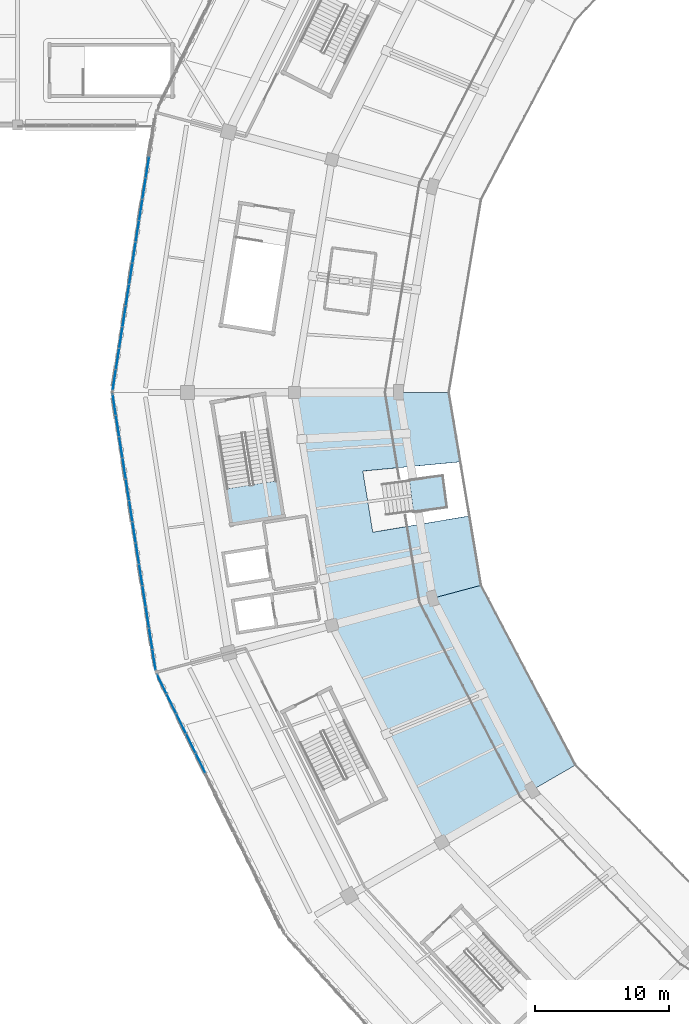
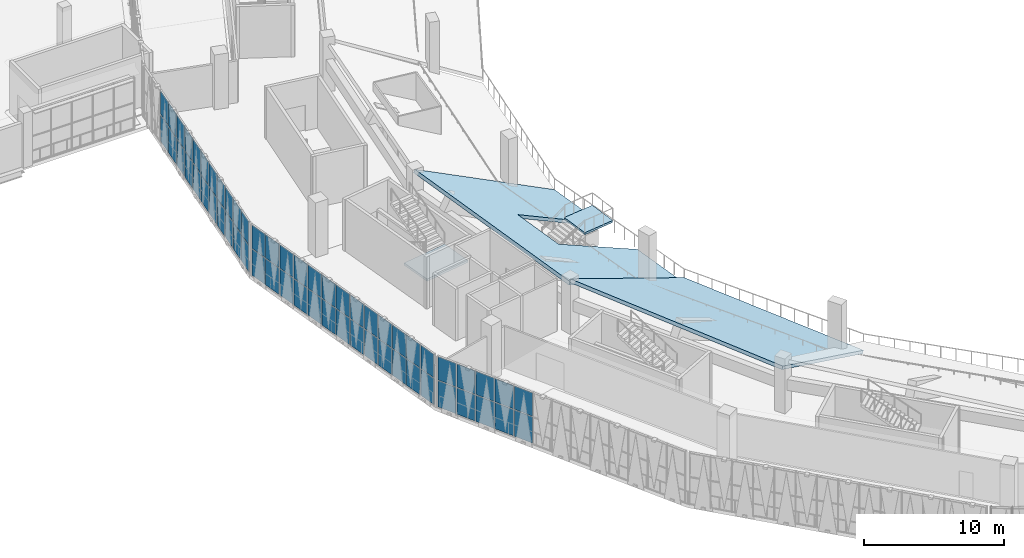
# One storey, part 75 of 152: 58 plates, 4 slabs, 5 elements without a shape of their own.
"""IFC4 building model written with IfcOpenShell, lengths in metres."""

import ifcopenshell
import ifcopenshell.guid

model = None  # the IFC model being written
_history = None  # IfcOwnerHistory: only IFC2X3 demands one
_inside = {}  # id of a spatial element -> (the spatial element, [elements in it])
_under = {}  # id of a project, library or spatial element -> (it, [spatial elements below it])
_declared = {}  # id of a project -> (the project, [libraries it declares])
_typed = {}  # id of a type object -> (the type object, [elements of that type])
_made_of = {}  # id of a material, layer set ... -> (it, [elements and type objects made of it])


def new_model(schema):
    """Start an empty IFC model of exactly this schema.

    Asked for "IFC4X3", IfcOpenShell would pick the latest addendum, in which some entities
    have other attributes; the version numbers below select the first issue.
    IFC2X3 requires an IfcOwnerHistory on every rooted entity: one is made here for all.
    """
    global model, _history
    if schema == "IFC4X3":
        model = ifcopenshell.file(schema_version=(4, 3, 0, 0))
    else:
        model = ifcopenshell.file(schema=schema)
    _inside.clear()
    _under.clear()
    _declared.clear()
    _typed.clear()
    _made_of.clear()
    _history = None
    if model.schema == "IFC2X3":
        org = make("IfcOrganization", Name="unknown")
        user = make(
            "IfcPersonAndOrganization",
            ThePerson=make("IfcPerson", FamilyName="unknown"),
            TheOrganization=org,
        )
        app = make(
            "IfcApplication",
            ApplicationDeveloper=org,
            Version="unknown",
            ApplicationFullName="unknown",
            ApplicationIdentifier="unknown",
        )
        _history = make(
            "IfcOwnerHistory",
            OwningUser=user,
            OwningApplication=app,
            ChangeAction="ADDED",
            CreationDate=0,
        )
    return model


def make(cls, **values):
    """One entity of the class cls with the attributes given. An attribute that is None is left unset."""
    return model.create_entity(
        cls, **{name: value for name, value in values.items() if value is not None}
    )


def rooted(cls, **values):
    """An entity with a GlobalId (a new one), such as an element, a storey or a relation."""
    return make(cls, GlobalId=ifcopenshell.guid.new(), OwnerHistory=_history, **values)


def si_unit(unit_type, name, prefix=None):
    """IfcSIUnit, for example si_unit("LENGTHUNIT", "METRE", prefix="MILLI")."""
    return make("IfcSIUnit", UnitType=unit_type, Prefix=prefix, Name=name)


def assignment(units):
    """IfcUnitAssignment: the units of a project."""
    return None if units is None else make("IfcUnitAssignment", Units=units)


def point(xyz):
    """IfcCartesianPoint."""
    return None if xyz is None else make("IfcCartesianPoint", Coordinates=xyz)


def direction(xyz):
    """IfcDirection."""
    return None if xyz is None else make("IfcDirection", DirectionRatios=xyz)


def frame(location, z_axis=None, x_axis=None):
    """IfcAxis2Placement3D, a coordinate frame: its origin and axes. An axis left out is left unset."""
    return make(
        "IfcAxis2Placement3D",
        Location=point(location),
        Axis=direction(z_axis),
        RefDirection=direction(x_axis),
    )


def frame_2d(location, x_axis=None):
    """IfcAxis2Placement2D, a coordinate frame in the plane: its origin and x axis."""
    return make(
        "IfcAxis2Placement2D", Location=point(location), RefDirection=direction(x_axis)
    )


def origin():
    """The frame at (0, 0, 0) with its axes left unset."""
    return frame((0.0, 0.0, 0.0))


def origin_2d():
    """The frame at (0, 0) in the plane with its x axis left unset."""
    return frame_2d((0.0, 0.0))


def place(relative_to, where):
    """IfcLocalPlacement: puts the frame where relative to a parent placement (None: the world)."""
    return make(
        "IfcLocalPlacement", PlacementRelTo=relative_to, RelativePlacement=where
    )


def context(
    kind, dimensions, precision=None, world=None, true_north=None, identifier=None
):
    """IfcGeometricRepresentationContext, for example the 3D "Model" context."""
    return make(
        "IfcGeometricRepresentationContext",
        ContextIdentifier=identifier,
        ContextType=kind,
        CoordinateSpaceDimension=dimensions,
        Precision=precision,
        WorldCoordinateSystem=world,
        TrueNorth=true_north,
    )


def subcontext(parent, identifier, kind, view, scale=None):
    """IfcGeometricRepresentationSubContext, for example "Body" below "Model"."""
    return make(
        "IfcGeometricRepresentationSubContext",
        ContextIdentifier=identifier,
        ContextType=kind,
        ParentContext=parent,
        TargetScale=scale,
        TargetView=view,
    )


def project(units=None, contexts=None):
    """IfcProject with its units and contexts."""
    return rooted(
        "IfcProject",
        Name="project",
        RepresentationContexts=contexts,
        UnitsInContext=assignment(units),
    )


def spatial(cls, under=None, at=None, **own):
    """A site, building, storey or space (cls), placed at a placement, below another one or the project."""
    s = rooted(cls, ObjectPlacement=at, **own)
    if under is not None:
        _under.setdefault(under.id(), (under, []))[1].append(s)
    return s


def polyline(points):
    """IfcPolyline through the points."""
    return make("IfcPolyline", Points=[point(p) for p in points])


def profile(cls, at=None, kind="AREA", **sizes):
    """A parametric profile (cls). Its sizes go by their IFC names, for example OverallWidth=200.0."""
    return make(cls, ProfileType=kind, Position=at, **sizes)


def rectangle(**sizes):
    """IfcRectangleProfileDef."""
    return profile("IfcRectangleProfileDef", **sizes)


def outline(outer, holes=None, kind="AREA"):
    """IfcArbitraryClosedProfileDef: a profile drawn as a closed curve; with holes, ...WithVoids."""
    if holes is None:
        return make("IfcArbitraryClosedProfileDef", ProfileType=kind, OuterCurve=outer)
    return make(
        "IfcArbitraryProfileDefWithVoids",
        ProfileType=kind,
        OuterCurve=outer,
        InnerCurves=holes,
    )


def extrude(swept, where, along, depth):
    """IfcExtrudedAreaSolid: the profile swept, set in the frame where, extruded along a direction by depth."""
    return make(
        "IfcExtrudedAreaSolid",
        SweptArea=swept,
        Position=where,
        ExtrudedDirection=direction(along),
        Depth=depth,
    )


def shape(context_of_items, identifier, shape_type, items):
    """IfcShapeRepresentation: the items that make up one representation, for example the "Body"."""
    return make(
        "IfcShapeRepresentation",
        ContextOfItems=context_of_items,
        RepresentationIdentifier=identifier,
        RepresentationType=shape_type,
        Items=items,
    )


def material(Name=None, Category=None):
    """IfcMaterial."""
    return make("IfcMaterial", Name=Name, Category=Category)


def layer(
    of_material, thickness, ventilated=None, Name=None, Category=None, Priority=None
):
    """IfcMaterialLayer: one layer of a wall or slab, of a material (None: an air gap)."""
    return make(
        "IfcMaterialLayer",
        Material=of_material,
        LayerThickness=thickness,
        IsVentilated=ventilated,
        Name=Name,
        Category=Category,
        Priority=Priority,
    )


def layer_set(layers, Name=None):
    """IfcMaterialLayerSet."""
    return make("IfcMaterialLayerSet", MaterialLayers=layers, LayerSetName=Name)


def made_of(thing, what):
    """Note that an element or type object is made of a material, layer set ...; save() writes the relation."""
    if what is not None:
        _made_of.setdefault(what.id(), (what, []))[1].append(thing)
    return thing


def type_object(cls, material=None, **own):
    """A type object (cls), such as IfcWallType, which elements share."""
    return made_of(rooted(cls, **own), material)


def element(
    cls,
    number,
    at=None,
    inside=None,
    cuts=None,
    type_object=None,
    material=None,
    context=None,
    identifier="Body",
    shape_type=None,
    held_by="IfcProductDefinitionShape",
    body=None,
    shapes=None,
    **own,
):
    """One element of the class cls, such as IfcWall. Its Tag is "e" and its number.

    at: its placement. inside: the storey or other place that contains it. cuts: it is an
    opening in that element (IfcRelVoidsElement). A single representation is given by context,
    identifier, shape_type and body (its items); several are given by shapes. held_by: the class
    of the entity that holds the representations. save() writes the other relations.
    """
    e = rooted(cls, Tag="e%d" % number, ObjectPlacement=at, **own)
    if body is not None:
        shapes = [shape(context, identifier, shape_type, body)]
    if shapes is not None:
        e.Representation = make(held_by, Representations=shapes)
    if inside is not None:
        _inside.setdefault(inside.id(), (inside, []))[1].append(e)
    if cuts is not None:
        rooted(
            "IfcRelVoidsElement", RelatingBuildingElement=cuts, RelatedOpeningElement=e
        )
    if type_object is not None:
        _typed.setdefault(type_object.id(), (type_object, []))[1].append(e)
    return made_of(e, material)


def aggregate(whole, parts):
    """IfcRelAggregates: a whole, such as a stair, and the parts it consists of."""
    return rooted("IfcRelAggregates", RelatingObject=whole, RelatedObjects=parts)


def save(model, path):
    """Write the relations noted so far, then the file.

    IfcRelAggregates (storeys below a building ...), IfcRelContainedInSpatialStructure (elements
    in a storey), IfcRelDefinesByType, IfcRelAssociatesMaterial and IfcRelDeclares: one each for
    every whole, place, type object, material and project.
    """
    for whole, parts in _under.values():
        aggregate(whole, parts)
    for where, things in _inside.values():
        rooted(
            "IfcRelContainedInSpatialStructure",
            RelatedElements=things,
            RelatingStructure=where,
        )
    for kind, things in _typed.values():
        rooted("IfcRelDefinesByType", RelatedObjects=things, RelatingType=kind)
    for what, things in _made_of.values():
        rooted("IfcRelAssociatesMaterial", RelatedObjects=things, RelatingMaterial=what)
    for by, libraries in _declared.values():
        rooted("IfcRelDeclares", RelatingContext=by, RelatedDefinitions=libraries)
    model.write(path)


model = new_model("IFC4")

# Units and contexts
model_context = context("Model", 3, precision=1e-05, world=origin(), true_north=direction((0.0, 1.0)))
body_context = subcontext(model_context, "Body", "Model", "MODEL_VIEW")
ifc_project = project(units=[si_unit("LENGTHUNIT", "METRE"), si_unit("AREAUNIT", "SQUARE_METRE"), si_unit("VOLUMEUNIT", "CUBIC_METRE"), si_unit("PLANEANGLEUNIT", "RADIAN"), si_unit("MASSUNIT", "GRAM", prefix="KILO")], contexts=[model_context])

# Site, building, storey
site_placement = place(None, origin())
site = spatial("IfcSite", under=ifc_project, at=site_placement, CompositionType="ELEMENT")
building_placement = place(site_placement, origin())
building = spatial("IfcBuilding", under=site, at=building_placement, Name="Zevraka Park Crest Stadium", CompositionType="ELEMENT")
storey_placement = place(building_placement, frame((0.0, 0.0, 15.0)))
storey = spatial("IfcBuildingStorey", under=building, at=storey_placement, Name="L03", CompositionType="ELEMENT", Elevation=15.0)

# Curtain wall, plates
ifc_material_1 = material(Name="Anodised architectural aluminium and laminated safety glass", Category="aluminium")
curtain_wall_type_1 = type_object("IfcCurtainWallType", Name="CW11", PredefinedType="NOTDEFINED", material=ifc_material_1)
curtain_wall_1_placement = place(storey_placement, origin())
curtain_wall_1 = element("IfcCurtainWall", 1, at=curtain_wall_1_placement, inside=storey, type_object=curtain_wall_type_1, Name="Unitised Ring Curtain Wall CW11 L03-11", PredefinedType="NOTDEFINED")
ifc_material_2 = material(Name="Solar-control laminated double glazing", Category="glass")
ifc_layer_1 = layer(ifc_material_2, 0.028076171875)
ifc_layer_set_1 = layer_set([ifc_layer_1], Name="Solar-control laminated double glazing")
plate_type_1 = type_object("IfcPlateType", Name="CP11", PredefinedType="CURTAIN_PANEL", material=ifc_layer_set_1)
plate_1_placement = place(storey_placement, frame((18.70751953125, 108.834716796875, 0.06494140625), z_axis=(0.0, 0.0, 1.0), x_axis=(-0.154127730222, -0.988050931267, 0.0)))
plate_1 = element("IfcPlate", 2, at=plate_1_placement, type_object=plate_type_1, Name="CW11 panel 3.1", PredefinedType="CURTAIN_PANEL", context=body_context, shape_type="SweptSolid", body=[
    extrude(rectangle(XDim=1.545654296875, YDim=0.028076171875, at=origin_2d()), origin(), (0.0, 0.0, 1.0), 2.302490234375),
])
plate_2_placement = place(storey_placement, frame((18.70751953125, 108.834716796875, 2.4326171875), z_axis=(0.0, 0.0, 1.0), x_axis=(-0.154127730222, -0.988050931267, 0.0)))
plate_2 = element("IfcPlate", 3, at=plate_2_placement, type_object=plate_type_1, Name="CW11 panel 3.2", PredefinedType="CURTAIN_PANEL", context=body_context, shape_type="SweptSolid", body=[
    extrude(rectangle(XDim=1.545654296875, YDim=0.028076171875, at=origin_2d()), origin(), (0.0, 0.0, 1.0), 2.04248046875),
])
plate_3_placement = place(storey_placement, frame((18.459228515625, 107.243408203125, 0.06494140625), z_axis=(0.0, 0.0, 1.0), x_axis=(-0.154127730222, -0.988050931267, 0.0)))
plate_3 = element("IfcPlate", 4, at=plate_3_placement, type_object=plate_type_1, Name="CW11 panel 4.1", PredefinedType="CURTAIN_PANEL", context=body_context, shape_type="SweptSolid", body=[
    extrude(rectangle(XDim=1.545654296875, YDim=0.028076171875, at=origin_2d()), origin(), (0.0, 0.0, 1.0), 2.302490234375),
])
plate_4_placement = place(storey_placement, frame((18.459228515625, 107.243408203125, 2.4326171875), z_axis=(0.0, 0.0, 1.0), x_axis=(-0.154127730222, -0.988050931267, 0.0)))
plate_4 = element("IfcPlate", 5, at=plate_4_placement, type_object=plate_type_1, Name="CW11 panel 4.2", PredefinedType="CURTAIN_PANEL", context=body_context, shape_type="SweptSolid", body=[
    extrude(rectangle(XDim=1.545654296875, YDim=0.028076171875, at=origin_2d()), origin(), (0.0, 0.0, 1.0), 2.04248046875),
])
plate_5_placement = place(storey_placement, frame((18.2109375, 105.652099609375, 0.06494140625), z_axis=(0.0, 0.0, 1.0), x_axis=(-0.154127730222, -0.988050931267, 0.0)))
plate_5 = element("IfcPlate", 6, at=plate_5_placement, type_object=plate_type_1, Name="CW11 panel 5.1", PredefinedType="CURTAIN_PANEL", context=body_context, shape_type="SweptSolid", body=[
    extrude(rectangle(XDim=1.545654296875, YDim=0.028076171875, at=origin_2d()), origin(), (0.0, 0.0, 1.0), 2.302490234375),
])
plate_6_placement = place(storey_placement, frame((18.2109375, 105.652099609375, 2.4326171875), z_axis=(0.0, 0.0, 1.0), x_axis=(-0.154127730222, -0.988050931267, 0.0)))
plate_6 = element("IfcPlate", 7, at=plate_6_placement, type_object=plate_type_1, Name="CW11 panel 5.2", PredefinedType="CURTAIN_PANEL", context=body_context, shape_type="SweptSolid", body=[
    extrude(rectangle(XDim=1.545654296875, YDim=0.028076171875, at=origin_2d()), origin(), (0.0, 0.0, 1.0), 2.04248046875),
])
plate_7_placement = place(storey_placement, frame((17.962646484375, 104.060791015625, 0.06494140625), z_axis=(0.0, 0.0, 1.0), x_axis=(-0.154127730222, -0.988050931267, 0.0)))
plate_7 = element("IfcPlate", 8, at=plate_7_placement, type_object=plate_type_1, Name="CW11 panel 6.1", PredefinedType="CURTAIN_PANEL", context=body_context, shape_type="SweptSolid", body=[
    extrude(rectangle(XDim=1.545654296875, YDim=0.028076171875, at=origin_2d()), origin(), (0.0, 0.0, 1.0), 2.302490234375),
])
plate_8_placement = place(storey_placement, frame((17.962646484375, 104.060791015625, 2.4326171875), z_axis=(0.0, 0.0, 1.0), x_axis=(-0.154127730222, -0.988050931267, 0.0)))
plate_8 = element("IfcPlate", 9, at=plate_8_placement, type_object=plate_type_1, Name="CW11 panel 6.2", PredefinedType="CURTAIN_PANEL", context=body_context, shape_type="SweptSolid", body=[
    extrude(rectangle(XDim=1.545654296875, YDim=0.028076171875, at=origin_2d()), origin(), (0.0, 0.0, 1.0), 2.04248046875),
])
plate_9_placement = place(storey_placement, frame((17.714599609375, 102.469482421875, 0.06494140625), z_axis=(0.0, 0.0, 1.0), x_axis=(-0.154127730222, -0.988050931267, 0.0)))
plate_9 = element("IfcPlate", 10, at=plate_9_placement, type_object=plate_type_1, Name="CW11 panel 7.1", PredefinedType="CURTAIN_PANEL", context=body_context, shape_type="SweptSolid", body=[
    extrude(rectangle(XDim=1.545654296875, YDim=0.028076171875, at=origin_2d()), origin(), (0.0, 0.0, 1.0), 2.302490234375),
])
plate_10_placement = place(storey_placement, frame((17.714599609375, 102.469482421875, 2.4326171875), z_axis=(0.0, 0.0, 1.0), x_axis=(-0.154127730222, -0.988050931267, 0.0)))
plate_10 = element("IfcPlate", 11, at=plate_10_placement, type_object=plate_type_1, Name="CW11 panel 7.2", PredefinedType="CURTAIN_PANEL", context=body_context, shape_type="SweptSolid", body=[
    extrude(rectangle(XDim=1.545654296875, YDim=0.028076171875, at=origin_2d()), origin(), (0.0, 0.0, 1.0), 2.04248046875),
])
plate_11_placement = place(storey_placement, frame((17.46630859375, 100.878173828125, 0.06494140625), z_axis=(0.0, 0.0, 1.0), x_axis=(-0.154127730222, -0.988050931267, 0.0)))
plate_11 = element("IfcPlate", 12, at=plate_11_placement, type_object=plate_type_1, Name="CW11 panel 8.1", PredefinedType="CURTAIN_PANEL", context=body_context, shape_type="SweptSolid", body=[
    extrude(rectangle(XDim=1.545654296875, YDim=0.028076171875, at=origin_2d()), origin(), (0.0, 0.0, 1.0), 2.302490234375),
])
plate_12_placement = place(storey_placement, frame((17.46630859375, 100.878173828125, 2.4326171875), z_axis=(0.0, 0.0, 1.0), x_axis=(-0.154127730222, -0.988050931267, 0.0)))
plate_12 = element("IfcPlate", 13, at=plate_12_placement, type_object=plate_type_1, Name="CW11 panel 8.2", PredefinedType="CURTAIN_PANEL", context=body_context, shape_type="SweptSolid", body=[
    extrude(rectangle(XDim=1.545654296875, YDim=0.028076171875, at=origin_2d()), origin(), (0.0, 0.0, 1.0), 2.04248046875),
])
plate_13_placement = place(storey_placement, frame((17.218017578125, 99.286865234375, 0.06494140625), z_axis=(0.0, 0.0, 1.0), x_axis=(-0.154127730222, -0.988050931267, 0.0)))
plate_13 = element("IfcPlate", 14, at=plate_13_placement, type_object=plate_type_1, Name="CW11 panel 9.1", PredefinedType="CURTAIN_PANEL", context=body_context, shape_type="SweptSolid", body=[
    extrude(rectangle(XDim=1.545654296875, YDim=0.028076171875, at=origin_2d()), origin(), (0.0, 0.0, 1.0), 2.302490234375),
])
plate_14_placement = place(storey_placement, frame((17.218017578125, 99.286865234375, 2.4326171875), z_axis=(0.0, 0.0, 1.0), x_axis=(-0.154127730222, -0.988050931267, 0.0)))
plate_14 = element("IfcPlate", 15, at=plate_14_placement, type_object=plate_type_1, Name="CW11 panel 9.2", PredefinedType="CURTAIN_PANEL", context=body_context, shape_type="SweptSolid", body=[
    extrude(rectangle(XDim=1.545654296875, YDim=0.028076171875, at=origin_2d()), origin(), (0.0, 0.0, 1.0), 2.04248046875),
])
plate_15_placement = place(storey_placement, frame((16.9697265625, 97.695556640625, 0.06494140625), z_axis=(0.0, 0.0, 1.0), x_axis=(-0.154127730222, -0.988050931267, 0.0)))
plate_15 = element("IfcPlate", 16, at=plate_15_placement, type_object=plate_type_1, Name="CW11 panel 10.1", PredefinedType="CURTAIN_PANEL", context=body_context, shape_type="SweptSolid", body=[
    extrude(rectangle(XDim=1.545654296875, YDim=0.028076171875, at=origin_2d()), origin(), (0.0, 0.0, 1.0), 2.302490234375),
])
plate_16_placement = place(storey_placement, frame((16.9697265625, 97.695556640625, 2.4326171875), z_axis=(0.0, 0.0, 1.0), x_axis=(-0.154127730222, -0.988050931267, 0.0)))
plate_16 = element("IfcPlate", 17, at=plate_16_placement, type_object=plate_type_1, Name="CW11 panel 10.2", PredefinedType="CURTAIN_PANEL", context=body_context, shape_type="SweptSolid", body=[
    extrude(rectangle(XDim=1.545654296875, YDim=0.028076171875, at=origin_2d()), origin(), (0.0, 0.0, 1.0), 2.04248046875),
])
plate_17_placement = place(storey_placement, frame((16.7216796875, 96.104248046875, 0.06494140625), z_axis=(0.0, 0.0, 1.0), x_axis=(-0.154127730222, -0.988050931267, 0.0)))
plate_17 = element("IfcPlate", 18, at=plate_17_placement, type_object=plate_type_1, Name="CW11 panel 11.1", PredefinedType="CURTAIN_PANEL", context=body_context, shape_type="SweptSolid", body=[
    extrude(rectangle(XDim=1.545654296875, YDim=0.028076171875, at=origin_2d()), origin(), (0.0, 0.0, 1.0), 2.302490234375),
])
plate_18_placement = place(storey_placement, frame((16.7216796875, 96.104248046875, 2.4326171875), z_axis=(0.0, 0.0, 1.0), x_axis=(-0.154127730222, -0.988050931267, 0.0)))
plate_18 = element("IfcPlate", 19, at=plate_18_placement, type_object=plate_type_1, Name="CW11 panel 11.2", PredefinedType="CURTAIN_PANEL", context=body_context, shape_type="SweptSolid", body=[
    extrude(rectangle(XDim=1.545654296875, YDim=0.028076171875, at=origin_2d()), origin(), (0.0, 0.0, 1.0), 2.04248046875),
])
plate_19_placement = place(storey_placement, frame((16.473388671875, 94.512939453125, 0.06494140625), z_axis=(0.0, 0.0, 1.0), x_axis=(-0.154127730222, -0.988050931267, 0.0)))
plate_19 = element("IfcPlate", 20, at=plate_19_placement, type_object=plate_type_1, Name="CW11 panel 12.1", PredefinedType="CURTAIN_PANEL", context=body_context, shape_type="SweptSolid", body=[
    extrude(rectangle(XDim=1.545654296875, YDim=0.028076171875, at=origin_2d()), origin(), (0.0, 0.0, 1.0), 2.302490234375),
])
plate_20_placement = place(storey_placement, frame((16.473388671875, 94.512939453125, 2.4326171875), z_axis=(0.0, 0.0, 1.0), x_axis=(-0.154127730222, -0.988050931267, 0.0)))
plate_20 = element("IfcPlate", 21, at=plate_20_placement, type_object=plate_type_1, Name="CW11 panel 12.2", PredefinedType="CURTAIN_PANEL", context=body_context, shape_type="SweptSolid", body=[
    extrude(rectangle(XDim=1.545654296875, YDim=0.028076171875, at=origin_2d()), origin(), (0.0, 0.0, 1.0), 2.04248046875),
])
plate_21_placement = place(storey_placement, frame((16.2275390625, 92.937744140625, 0.06494140625), z_axis=(0.0, 0.0, 1.0), x_axis=(-0.154127730222, -0.988050931267, 0.0)))
plate_21 = element("IfcPlate", 22, at=plate_21_placement, type_object=plate_type_1, Name="CW11 panel 13.1", PredefinedType="CURTAIN_PANEL", context=body_context, shape_type="SweptSolid", body=[
    extrude(rectangle(XDim=1.512939453125, YDim=0.028076171875, at=origin_2d()), origin(), (0.0, 0.0, 1.0), 2.302490234375),
])
plate_22_placement = place(storey_placement, frame((16.2275390625, 92.937744140625, 2.4326171875), z_axis=(0.0, 0.0, 1.0), x_axis=(-0.154127730222, -0.988050931267, 0.0)))
plate_22 = element("IfcPlate", 23, at=plate_22_placement, type_object=plate_type_1, Name="CW11 panel 13.2", PredefinedType="CURTAIN_PANEL", context=body_context, shape_type="SweptSolid", body=[
    extrude(rectangle(XDim=1.512939453125, YDim=0.028076171875, at=origin_2d()), origin(), (0.0, 0.0, 1.0), 2.04248046875),
])
aggregate(curtain_wall_1, [plate_1, plate_2, plate_3, plate_4, plate_5, plate_6, plate_7, plate_8, plate_9, plate_10, plate_11, plate_12, plate_13, plate_14, plate_15, plate_16, plate_17, plate_18, plate_19, plate_20, plate_21, plate_22])

curtain_wall_2_placement = place(storey_placement, origin())
curtain_wall_2 = element("IfcCurtainWall", 24, at=curtain_wall_2_placement, inside=storey, type_object=curtain_wall_type_1, Name="Unitised Ring Curtain Wall CW11 L03-12", PredefinedType="NOTDEFINED")
plate_23_placement = place(storey_placement, frame((16.2275390625, 91.062255859375, 0.06494140625), z_axis=(0.0, 0.0, 1.0), x_axis=(0.154127730222, -0.988050931267, 0.0)))
plate_23 = element("IfcPlate", 25, at=plate_23_placement, type_object=plate_type_1, Name="CW11 panel 1.1", PredefinedType="CURTAIN_PANEL", context=body_context, shape_type="SweptSolid", body=[
    extrude(rectangle(XDim=1.512939453125, YDim=0.028076171875, at=origin_2d()), origin(), (0.0, 0.0, 1.0), 2.302490234375),
])
plate_24_placement = place(storey_placement, frame((16.2275390625, 91.062255859375, 2.4326171875), z_axis=(0.0, 0.0, 1.0), x_axis=(0.154127730222, -0.988050931267, 0.0)))
plate_24 = element("IfcPlate", 26, at=plate_24_placement, type_object=plate_type_1, Name="CW11 panel 1.2", PredefinedType="CURTAIN_PANEL", context=body_context, shape_type="SweptSolid", body=[
    extrude(rectangle(XDim=1.512939453125, YDim=0.028076171875, at=origin_2d()), origin(), (0.0, 0.0, 1.0), 2.04248046875),
])
plate_25_placement = place(storey_placement, frame((16.473388671875, 89.487060546875, 0.06494140625), z_axis=(0.0, 0.0, 1.0), x_axis=(0.154127730222, -0.988050931267, 0.0)))
plate_25 = element("IfcPlate", 27, at=plate_25_placement, type_object=plate_type_1, Name="CW11 panel 2.1", PredefinedType="CURTAIN_PANEL", context=body_context, shape_type="SweptSolid", body=[
    extrude(rectangle(XDim=1.545654296875, YDim=0.028076171875, at=origin_2d()), origin(), (0.0, 0.0, 1.0), 2.302490234375),
])
plate_26_placement = place(storey_placement, frame((16.473388671875, 89.487060546875, 2.4326171875), z_axis=(0.0, 0.0, 1.0), x_axis=(0.154127730222, -0.988050931267, 0.0)))
plate_26 = element("IfcPlate", 28, at=plate_26_placement, type_object=plate_type_1, Name="CW11 panel 2.2", PredefinedType="CURTAIN_PANEL", context=body_context, shape_type="SweptSolid", body=[
    extrude(rectangle(XDim=1.545654296875, YDim=0.028076171875, at=origin_2d()), origin(), (0.0, 0.0, 1.0), 2.04248046875),
])
plate_27_placement = place(storey_placement, frame((16.7216796875, 87.895751953125, 0.06494140625), z_axis=(0.0, 0.0, 1.0), x_axis=(0.154127730222, -0.988050931267, 0.0)))
plate_27 = element("IfcPlate", 29, at=plate_27_placement, type_object=plate_type_1, Name="CW11 panel 3.1", PredefinedType="CURTAIN_PANEL", context=body_context, shape_type="SweptSolid", body=[
    extrude(rectangle(XDim=1.545654296875, YDim=0.028076171875, at=origin_2d()), origin(), (0.0, 0.0, 1.0), 2.302490234375),
])
plate_28_placement = place(storey_placement, frame((16.7216796875, 87.895751953125, 2.4326171875), z_axis=(0.0, 0.0, 1.0), x_axis=(0.154127730222, -0.988050931267, 0.0)))
plate_28 = element("IfcPlate", 30, at=plate_28_placement, type_object=plate_type_1, Name="CW11 panel 3.2", PredefinedType="CURTAIN_PANEL", context=body_context, shape_type="SweptSolid", body=[
    extrude(rectangle(XDim=1.545654296875, YDim=0.028076171875, at=origin_2d()), origin(), (0.0, 0.0, 1.0), 2.04248046875),
])
plate_29_placement = place(storey_placement, frame((16.9697265625, 86.304443359375, 0.06494140625), z_axis=(0.0, 0.0, 1.0), x_axis=(0.154127730222, -0.988050931267, 0.0)))
plate_29 = element("IfcPlate", 31, at=plate_29_placement, type_object=plate_type_1, Name="CW11 panel 4.1", PredefinedType="CURTAIN_PANEL", context=body_context, shape_type="SweptSolid", body=[
    extrude(rectangle(XDim=1.545654296875, YDim=0.028076171875, at=origin_2d()), origin(), (0.0, 0.0, 1.0), 2.302490234375),
])
plate_30_placement = place(storey_placement, frame((16.9697265625, 86.304443359375, 2.4326171875), z_axis=(0.0, 0.0, 1.0), x_axis=(0.154127730222, -0.988050931267, 0.0)))
plate_30 = element("IfcPlate", 32, at=plate_30_placement, type_object=plate_type_1, Name="CW11 panel 4.2", PredefinedType="CURTAIN_PANEL", context=body_context, shape_type="SweptSolid", body=[
    extrude(rectangle(XDim=1.545654296875, YDim=0.028076171875, at=origin_2d()), origin(), (0.0, 0.0, 1.0), 2.04248046875),
])
plate_31_placement = place(storey_placement, frame((17.218017578125, 84.713134765625, 0.06494140625), z_axis=(0.0, 0.0, 1.0), x_axis=(0.154127730222, -0.988050931267, 0.0)))
plate_31 = element("IfcPlate", 33, at=plate_31_placement, type_object=plate_type_1, Name="CW11 panel 5.1", PredefinedType="CURTAIN_PANEL", context=body_context, shape_type="SweptSolid", body=[
    extrude(rectangle(XDim=1.545654296875, YDim=0.028076171875, at=origin_2d()), origin(), (0.0, 0.0, 1.0), 2.302490234375),
])
plate_32_placement = place(storey_placement, frame((17.218017578125, 84.713134765625, 2.4326171875), z_axis=(0.0, 0.0, 1.0), x_axis=(0.154127730222, -0.988050931267, 0.0)))
plate_32 = element("IfcPlate", 34, at=plate_32_placement, type_object=plate_type_1, Name="CW11 panel 5.2", PredefinedType="CURTAIN_PANEL", context=body_context, shape_type="SweptSolid", body=[
    extrude(rectangle(XDim=1.545654296875, YDim=0.028076171875, at=origin_2d()), origin(), (0.0, 0.0, 1.0), 2.04248046875),
])
plate_33_placement = place(storey_placement, frame((17.46630859375, 83.121826171875, 0.06494140625), z_axis=(0.0, 0.0, 1.0), x_axis=(0.154127730222, -0.988050931267, 0.0)))
plate_33 = element("IfcPlate", 35, at=plate_33_placement, type_object=plate_type_1, Name="CW11 panel 6.1", PredefinedType="CURTAIN_PANEL", context=body_context, shape_type="SweptSolid", body=[
    extrude(rectangle(XDim=1.545654296875, YDim=0.028076171875, at=origin_2d()), origin(), (0.0, 0.0, 1.0), 2.302490234375),
])
plate_34_placement = place(storey_placement, frame((17.46630859375, 83.121826171875, 2.4326171875), z_axis=(0.0, 0.0, 1.0), x_axis=(0.154127730222, -0.988050931267, 0.0)))
plate_34 = element("IfcPlate", 36, at=plate_34_placement, type_object=plate_type_1, Name="CW11 panel 6.2", PredefinedType="CURTAIN_PANEL", context=body_context, shape_type="SweptSolid", body=[
    extrude(rectangle(XDim=1.545654296875, YDim=0.028076171875, at=origin_2d()), origin(), (0.0, 0.0, 1.0), 2.04248046875),
])
plate_35_placement = place(storey_placement, frame((17.714599609375, 81.530517578125, 0.06494140625), z_axis=(0.0, 0.0, 1.0), x_axis=(0.154127730222, -0.988050931267, 0.0)))
plate_35 = element("IfcPlate", 37, at=plate_35_placement, type_object=plate_type_1, Name="CW11 panel 7.1", PredefinedType="CURTAIN_PANEL", context=body_context, shape_type="SweptSolid", body=[
    extrude(rectangle(XDim=1.545654296875, YDim=0.028076171875, at=origin_2d()), origin(), (0.0, 0.0, 1.0), 2.302490234375),
])
plate_36_placement = place(storey_placement, frame((17.714599609375, 81.530517578125, 2.4326171875), z_axis=(0.0, 0.0, 1.0), x_axis=(0.154127730222, -0.988050931267, 0.0)))
plate_36 = element("IfcPlate", 38, at=plate_36_placement, type_object=plate_type_1, Name="CW11 panel 7.2", PredefinedType="CURTAIN_PANEL", context=body_context, shape_type="SweptSolid", body=[
    extrude(rectangle(XDim=1.545654296875, YDim=0.028076171875, at=origin_2d()), origin(), (0.0, 0.0, 1.0), 2.04248046875),
])
plate_37_placement = place(storey_placement, frame((17.962646484375, 79.939208984375, 0.06494140625), z_axis=(0.0, 0.0, 1.0), x_axis=(0.154127730222, -0.988050931267, 0.0)))
plate_37 = element("IfcPlate", 39, at=plate_37_placement, type_object=plate_type_1, Name="CW11 panel 8.1", PredefinedType="CURTAIN_PANEL", context=body_context, shape_type="SweptSolid", body=[
    extrude(rectangle(XDim=1.545654296875, YDim=0.028076171875, at=origin_2d()), origin(), (0.0, 0.0, 1.0), 2.302490234375),
])
plate_38_placement = place(storey_placement, frame((17.962646484375, 79.939208984375, 2.4326171875), z_axis=(0.0, 0.0, 1.0), x_axis=(0.154127730222, -0.988050931267, 0.0)))
plate_38 = element("IfcPlate", 40, at=plate_38_placement, type_object=plate_type_1, Name="CW11 panel 8.2", PredefinedType="CURTAIN_PANEL", context=body_context, shape_type="SweptSolid", body=[
    extrude(rectangle(XDim=1.545654296875, YDim=0.028076171875, at=origin_2d()), origin(), (0.0, 0.0, 1.0), 2.04248046875),
])
plate_39_placement = place(storey_placement, frame((18.2109375, 78.347900390625, 0.06494140625), z_axis=(0.0, 0.0, 1.0), x_axis=(0.154127730222, -0.988050931267, 0.0)))
plate_39 = element("IfcPlate", 41, at=plate_39_placement, type_object=plate_type_1, Name="CW11 panel 9.1", PredefinedType="CURTAIN_PANEL", context=body_context, shape_type="SweptSolid", body=[
    extrude(rectangle(XDim=1.545654296875, YDim=0.028076171875, at=origin_2d()), origin(), (0.0, 0.0, 1.0), 2.302490234375),
])
plate_40_placement = place(storey_placement, frame((18.2109375, 78.347900390625, 2.4326171875), z_axis=(0.0, 0.0, 1.0), x_axis=(0.154127730222, -0.988050931267, 0.0)))
plate_40 = element("IfcPlate", 42, at=plate_40_placement, type_object=plate_type_1, Name="CW11 panel 9.2", PredefinedType="CURTAIN_PANEL", context=body_context, shape_type="SweptSolid", body=[
    extrude(rectangle(XDim=1.545654296875, YDim=0.028076171875, at=origin_2d()), origin(), (0.0, 0.0, 1.0), 2.04248046875),
])
plate_41_placement = place(storey_placement, frame((18.459228515625, 76.756591796875, 0.06494140625), z_axis=(0.0, 0.0, 1.0), x_axis=(0.154127730222, -0.988050931267, 0.0)))
plate_41 = element("IfcPlate", 43, at=plate_41_placement, type_object=plate_type_1, Name="CW11 panel 10.1", PredefinedType="CURTAIN_PANEL", context=body_context, shape_type="SweptSolid", body=[
    extrude(rectangle(XDim=1.545654296875, YDim=0.028076171875, at=origin_2d()), origin(), (0.0, 0.0, 1.0), 2.302490234375),
])
plate_42_placement = place(storey_placement, frame((18.459228515625, 76.756591796875, 2.4326171875), z_axis=(0.0, 0.0, 1.0), x_axis=(0.154127730222, -0.988050931267, 0.0)))
plate_42 = element("IfcPlate", 44, at=plate_42_placement, type_object=plate_type_1, Name="CW11 panel 10.2", PredefinedType="CURTAIN_PANEL", context=body_context, shape_type="SweptSolid", body=[
    extrude(rectangle(XDim=1.545654296875, YDim=0.028076171875, at=origin_2d()), origin(), (0.0, 0.0, 1.0), 2.04248046875),
])
plate_43_placement = place(storey_placement, frame((18.70751953125, 75.165283203125, 0.06494140625), z_axis=(0.0, 0.0, 1.0), x_axis=(0.154127730222, -0.988050931267, 0.0)))
plate_43 = element("IfcPlate", 45, at=plate_43_placement, type_object=plate_type_1, Name="CW11 panel 11.1", PredefinedType="CURTAIN_PANEL", context=body_context, shape_type="SweptSolid", body=[
    extrude(rectangle(XDim=1.545654296875, YDim=0.028076171875, at=origin_2d()), origin(), (0.0, 0.0, 1.0), 2.302490234375),
])
plate_44_placement = place(storey_placement, frame((18.70751953125, 75.165283203125, 2.4326171875), z_axis=(0.0, 0.0, 1.0), x_axis=(0.154127730222, -0.988050931267, 0.0)))
plate_44 = element("IfcPlate", 46, at=plate_44_placement, type_object=plate_type_1, Name="CW11 panel 11.2", PredefinedType="CURTAIN_PANEL", context=body_context, shape_type="SweptSolid", body=[
    extrude(rectangle(XDim=1.545654296875, YDim=0.028076171875, at=origin_2d()), origin(), (0.0, 0.0, 1.0), 2.04248046875),
])
plate_45_placement = place(storey_placement, frame((18.95556640625, 73.573974609375, 0.06494140625), z_axis=(0.0, 0.0, 1.0), x_axis=(0.154127730222, -0.988050931267, 0.0)))
plate_45 = element("IfcPlate", 47, at=plate_45_placement, type_object=plate_type_1, Name="CW11 panel 12.1", PredefinedType="CURTAIN_PANEL", context=body_context, shape_type="SweptSolid", body=[
    extrude(rectangle(XDim=1.545654296875, YDim=0.028076171875, at=origin_2d()), origin(), (0.0, 0.0, 1.0), 2.302490234375),
])
plate_46_placement = place(storey_placement, frame((18.95556640625, 73.573974609375, 2.4326171875), z_axis=(0.0, 0.0, 1.0), x_axis=(0.154127730222, -0.988050931267, 0.0)))
plate_46 = element("IfcPlate", 48, at=plate_46_placement, type_object=plate_type_1, Name="CW11 panel 12.2", PredefinedType="CURTAIN_PANEL", context=body_context, shape_type="SweptSolid", body=[
    extrude(rectangle(XDim=1.545654296875, YDim=0.028076171875, at=origin_2d()), origin(), (0.0, 0.0, 1.0), 2.04248046875),
])
plate_47_placement = place(storey_placement, frame((19.201416015625, 71.998779296875, 0.06494140625), z_axis=(0.0, 0.0, 1.0), x_axis=(0.154127730222, -0.988050931267, 0.0)))
plate_47 = element("IfcPlate", 49, at=plate_47_placement, type_object=plate_type_1, Name="CW11 panel 13.1", PredefinedType="CURTAIN_PANEL", context=body_context, shape_type="SweptSolid", body=[
    extrude(rectangle(XDim=1.512939453125, YDim=0.028076171875, at=origin_2d()), origin(), (0.0, 0.0, 1.0), 2.302490234375),
])
plate_48_placement = place(storey_placement, frame((19.201416015625, 71.998779296875, 2.4326171875), z_axis=(0.0, 0.0, 1.0), x_axis=(0.154127730222, -0.988050931267, 0.0)))
plate_48 = element("IfcPlate", 50, at=plate_48_placement, type_object=plate_type_1, Name="CW11 panel 13.2", PredefinedType="CURTAIN_PANEL", context=body_context, shape_type="SweptSolid", body=[
    extrude(rectangle(XDim=1.512939453125, YDim=0.028076171875, at=origin_2d()), origin(), (0.0, 0.0, 1.0), 2.04248046875),
])
aggregate(curtain_wall_2, [plate_23, plate_24, plate_25, plate_26, plate_27, plate_28, plate_29, plate_30, plate_31, plate_32, plate_33, plate_34, plate_35, plate_36, plate_37, plate_38, plate_39, plate_40, plate_41, plate_42, plate_43, plate_44, plate_45, plate_46, plate_47, plate_48])

ifc_material_3 = material(Name="Anodised architectural aluminium and laminated safety glass", Category="aluminium")
curtain_wall_type_2 = type_object("IfcCurtainWallType", Name="CW12", PredefinedType="NOTDEFINED", material=ifc_material_3)
curtain_wall_3_placement = place(storey_placement, origin())
curtain_wall_3 = element("IfcCurtainWall", 51, at=curtain_wall_3_placement, inside=storey, type_object=curtain_wall_type_2, Name="Unitised Ring Curtain Wall CW12 L03-13", PredefinedType="NOTDEFINED")
ifc_material_4 = material(Name="Solar-control laminated double glazing", Category="glass")
ifc_layer_2 = layer(ifc_material_4, 0.028076171875)
ifc_layer_set_2 = layer_set([ifc_layer_2], Name="Solar-control laminated double glazing")
plate_type_2 = type_object("IfcPlateType", Name="CP12", PredefinedType="CURTAIN_PANEL", material=ifc_layer_set_2)
plate_49_placement = place(storey_placement, frame((19.77685546875, 70.1884765625, 0.070068359375), z_axis=(0.0, 0.0, 1.0), x_axis=(0.440666370912, -0.897670958396, 0.0)))
plate_49 = element("IfcPlate", 52, at=plate_49_placement, type_object=plate_type_2, Name="CW12 panel 1.1", PredefinedType="CURTAIN_PANEL", context=body_context, shape_type="SweptSolid", body=[
    extrude(rectangle(XDim=1.547607421875, YDim=0.028076171875, at=origin_2d()), origin(), (0.0, 0.0, 1.0), 2.294921875),
])
plate_50_placement = place(storey_placement, frame((19.77685546875, 70.1884765625, 2.43505859375), z_axis=(0.0, 0.0, 1.0), x_axis=(0.440666370912, -0.897670958396, 0.0)))
plate_50 = element("IfcPlate", 53, at=plate_50_placement, type_object=plate_type_2, Name="CW12 panel 1.2", PredefinedType="CURTAIN_PANEL", context=body_context, shape_type="SweptSolid", body=[
    extrude(rectangle(XDim=1.547607421875, YDim=0.028076171875, at=origin_2d()), origin(), (0.0, 0.0, 1.0), 2.034912109375),
])
plate_51_placement = place(storey_placement, frame((20.497314453125, 68.720703125, 0.070068359375), z_axis=(0.0, 0.0, 1.0), x_axis=(0.440666370912, -0.897670958396, 0.0)))
plate_51 = element("IfcPlate", 54, at=plate_51_placement, type_object=plate_type_2, Name="CW12 panel 2.1", PredefinedType="CURTAIN_PANEL", context=body_context, shape_type="SweptSolid", body=[
    extrude(rectangle(XDim=1.58251953125, YDim=0.028076171875, at=origin_2d()), origin(), (0.0, 0.0, 1.0), 2.294921875),
])
plate_52_placement = place(storey_placement, frame((20.497314453125, 68.720703125, 2.43505859375), z_axis=(0.0, 0.0, 1.0), x_axis=(0.440666370912, -0.897670958396, 0.0)))
plate_52 = element("IfcPlate", 55, at=plate_52_placement, type_object=plate_type_2, Name="CW12 panel 2.2", PredefinedType="CURTAIN_PANEL", context=body_context, shape_type="SweptSolid", body=[
    extrude(rectangle(XDim=1.58251953125, YDim=0.028076171875, at=origin_2d()), origin(), (0.0, 0.0, 1.0), 2.034912109375),
])
plate_53_placement = place(storey_placement, frame((21.2255859375, 67.2373046875, 0.070068359375), z_axis=(0.0, 0.0, 1.0), x_axis=(0.440666370912, -0.897670958396, 0.0)))
plate_53 = element("IfcPlate", 56, at=plate_53_placement, type_object=plate_type_2, Name="CW12 panel 3.1", PredefinedType="CURTAIN_PANEL", context=body_context, shape_type="SweptSolid", body=[
    extrude(rectangle(XDim=1.58251953125, YDim=0.028076171875, at=origin_2d()), origin(), (0.0, 0.0, 1.0), 2.294921875),
])
plate_54_placement = place(storey_placement, frame((21.2255859375, 67.2373046875, 2.43505859375), z_axis=(0.0, 0.0, 1.0), x_axis=(0.440666370912, -0.897670958396, 0.0)))
plate_54 = element("IfcPlate", 57, at=plate_54_placement, type_object=plate_type_2, Name="CW12 panel 3.2", PredefinedType="CURTAIN_PANEL", context=body_context, shape_type="SweptSolid", body=[
    extrude(rectangle(XDim=1.58251953125, YDim=0.028076171875, at=origin_2d()), origin(), (0.0, 0.0, 1.0), 2.034912109375),
])
plate_55_placement = place(storey_placement, frame((21.953857421875, 65.75390625, 0.070068359375), z_axis=(0.0, 0.0, 1.0), x_axis=(0.440666370912, -0.897670958396, 0.0)))
plate_55 = element("IfcPlate", 58, at=plate_55_placement, type_object=plate_type_2, Name="CW12 panel 4.1", PredefinedType="CURTAIN_PANEL", context=body_context, shape_type="SweptSolid", body=[
    extrude(rectangle(XDim=1.58251953125, YDim=0.028076171875, at=origin_2d()), origin(), (0.0, 0.0, 1.0), 2.294921875),
])
plate_56_placement = place(storey_placement, frame((21.953857421875, 65.75390625, 2.43505859375), z_axis=(0.0, 0.0, 1.0), x_axis=(0.440666370912, -0.897670958396, 0.0)))
plate_56 = element("IfcPlate", 59, at=plate_56_placement, type_object=plate_type_2, Name="CW12 panel 4.2", PredefinedType="CURTAIN_PANEL", context=body_context, shape_type="SweptSolid", body=[
    extrude(rectangle(XDim=1.58251953125, YDim=0.028076171875, at=origin_2d()), origin(), (0.0, 0.0, 1.0), 2.034912109375),
])
plate_57_placement = place(storey_placement, frame((22.68212890625, 64.2705078125, 0.070068359375), z_axis=(0.0, 0.0, 1.0), x_axis=(0.440666370912, -0.897670958396, 0.0)))
plate_57 = element("IfcPlate", 60, at=plate_57_placement, type_object=plate_type_2, Name="CW12 panel 5.1", PredefinedType="CURTAIN_PANEL", context=body_context, shape_type="SweptSolid", body=[
    extrude(rectangle(XDim=1.58251953125, YDim=0.028076171875, at=origin_2d()), origin(), (0.0, 0.0, 1.0), 2.294921875),
])
plate_58_placement = place(storey_placement, frame((22.68212890625, 64.2705078125, 2.43505859375), z_axis=(0.0, 0.0, 1.0), x_axis=(0.440666370912, -0.897670958396, 0.0)))
plate_58 = element("IfcPlate", 61, at=plate_58_placement, type_object=plate_type_2, Name="CW12 panel 5.2", PredefinedType="CURTAIN_PANEL", context=body_context, shape_type="SweptSolid", body=[
    extrude(rectangle(XDim=1.58251953125, YDim=0.028076171875, at=origin_2d()), origin(), (0.0, 0.0, 1.0), 2.034912109375),
])
aggregate(curtain_wall_3, [plate_49, plate_50, plate_51, plate_52, plate_53, plate_54, plate_55, plate_56, plate_57, plate_58])

# Stair, slab
ifc_material_5 = material(Name="Concrete C35/45", Category="concrete")
stair_type_1 = type_object("IfcStairType", Name="STA2", PredefinedType="HALF_TURN_STAIR", material=ifc_material_5)
stair_1_placement = place(storey_placement, origin())
stair_1 = element("IfcStair", 62, at=stair_1_placement, inside=storey, type_object=stair_type_1, Name="L03 Protected Concourse Exit Stair ST13", PredefinedType="HALF_TURN_STAIR")
ifc_material_6 = material(Name="Concrete C35/45", Category="concrete")
ifc_layer_3 = layer(ifc_material_6, 0.199951171875)
ifc_layer_set_3 = layer_set([ifc_layer_3], Name="Concrete C35/45")
slab_type_1 = type_object("IfcSlabType", Name="LS01", PredefinedType="LANDING", material=ifc_layer_set_3)
slab_1_placement = place(storey_placement, frame((0.0, 0.0, 2.199951171875)))
slab_1 = element("IfcSlab", 63, at=slab_1_placement, type_object=slab_type_1, Name="ST13 landing 1", PredefinedType="LANDING", context=body_context, shape_type="SweptSolid", body=[
    extrude(outline(polyline([(24.644775390625, 84.794189453125), (25.05517578125, 82.216552734375), (28.7685546875, 82.807861328125), (28.35791015625, 85.385498046875), (24.644775390625, 84.794189453125)])), origin(), (0.0, 0.0, 1.0), 0.199951171875),
])
aggregate(stair_1, [slab_1])

ifc_material_7 = material(Name="Concrete C35/45", Category="concrete")
stair_type_2 = type_object("IfcStairType", Name="VST1", PredefinedType="STRAIGHT_RUN_STAIR", material=ifc_material_7)
stair_2_placement = place(storey_placement, origin())
stair_2 = element("IfcStair", 64, at=stair_2_placement, inside=storey, type_object=stair_type_2, Name="Vomitory Stair VS-13", PredefinedType="STRAIGHT_RUN_STAIR")
ifc_material_8 = material(Name="Concrete C35/45", Category="concrete")
ifc_layer_4 = layer(ifc_material_8, 0.179931640625)
ifc_layer_set_4 = layer_set([ifc_layer_4], Name="Concrete C35/45")
slab_type_2 = type_object("IfcSlabType", Name="LS02", PredefinedType="LANDING", material=ifc_layer_set_4)
slab_2_placement = place(storey_placement, frame((0.0, 0.0, 1.02001953125)))
slab_2 = element("IfcSlab", 65, at=slab_2_placement, type_object=slab_type_2, Name="VST1 landing 1", PredefinedType="LANDING", context=body_context, shape_type="SweptSolid", body=[
    extrude(outline(polyline([(38.60400390625, 83.068115234375), (41.10693359375, 83.39794921875), (40.7939453125, 85.777099609375), (38.291015625, 85.447998046875), (38.60400390625, 83.068115234375)])), origin(), (0.0, 0.0, 1.0), 0.179931640625),
])
aggregate(stair_2, [slab_2])

# Slabs
ifc_material_9 = material(Name="Concrete C35/45", Category="concrete")
ifc_layer_5 = layer(ifc_material_9, 0.27001953125)
ifc_layer_set_5 = layer_set([ifc_layer_5], Name="Concrete C35/45")
slab_type_3 = type_object("IfcSlabType", Name="STU1", PredefinedType="USERDEFINED", material=ifc_layer_set_5)
slab_3_placement = place(storey_placement, frame((41.25, 92.0, -1.371337890625), z_axis=(0.449281398181, 0.059162156927, 0.891429225703), x_axis=(0.164791527161, -0.986171288972, -0.01760515218)))
element("IfcSlab", 66, at=slab_3_placement, inside=storey, type_object=slab_type_3, Name="Upper Tier Cantilevered Raked Seating Slab 12", ObjectType="SEATING TIER", PredefinedType="USERDEFINED", context=body_context, shape_type="SweptSolid", body=[
    extrude(outline(polyline([(0.0, 0.0), (5.266923342227714, 9.020562075079397e-17), (4.677454533402667, -8.205489666844603), (9.314325261247198, -8.226048938563345), (9.364562908244649, -0.0003525462433487253), (14.631245485997518, -0.0003147509184349834), (15.638822859674823, -12.89579206017936), (-2.0058348649987128, -12.777623439966218), (0.0, 0.0)])), origin(), (0.0, 0.0, -1.0), 0.27001953125),
])
slab_4_placement = place(storey_placement, frame((43.660888671875, 77.571044921875, -1.160888671875), z_axis=(0.406483139503, 0.168376934113, 0.898009279105), x_axis=(0.464831795428, -0.8842747789, -0.044604006099)))
element("IfcSlab", 67, at=slab_4_placement, inside=storey, type_object=slab_type_3, Name="Upper Tier Cantilevered Raked Seating Slab 13", ObjectType="SEATING TIER", PredefinedType="USERDEFINED", context=body_context, shape_type="SweptSolid", body=[
    extrude(outline(polyline([(0.0, 0.0), (15.205734542556357, 1.1102230246251565e-15), (15.412400224601086, -12.839165582406983), (-2.7924131519174717, -12.534043677307526), (0.0, 0.0)])), origin(), (0.0, 0.0, -1.0), 0.27001953125),
])

save(model, "model.ifc")
